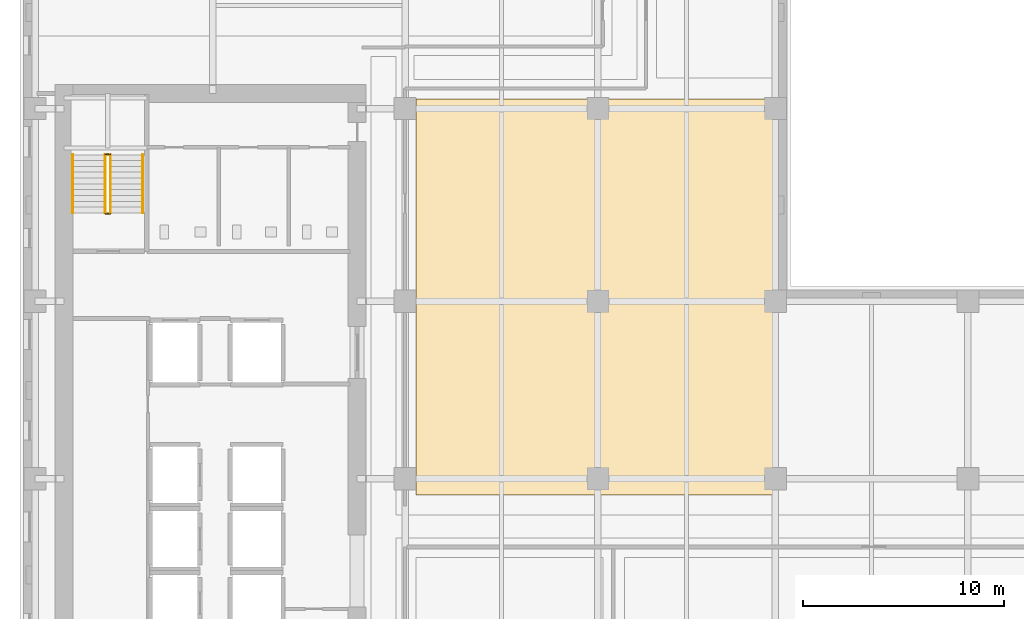
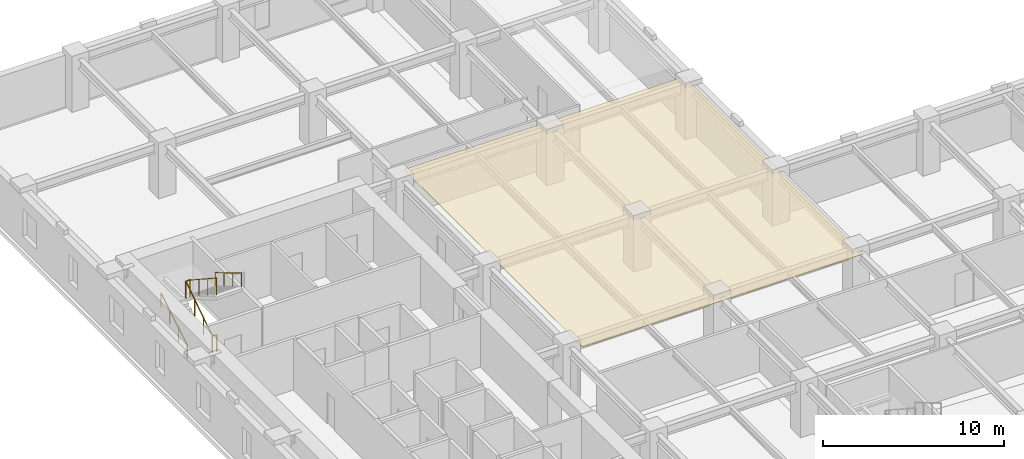
# One storey, part 13 of 15: 6 railings, 1 covering.
"""IFC4 building model written with IfcOpenShell, lengths in metres."""

from ifc_helpers import new_model, si_unit, direction, frame, origin, origin_2d, place, context, subcontext, project, spatial, polyline, circle, outline, extrude, material, layer, layer_set, type_object, element, save


model = new_model("IFC4")

# Units and contexts
model_context = context("Model", 3, precision=1e-05, world=origin(), true_north=direction((0.0, 1.0)))
body_context = subcontext(model_context, "Body", "Model", "MODEL_VIEW")
ifc_project = project(units=[si_unit("LENGTHUNIT", "METRE"), si_unit("AREAUNIT", "SQUARE_METRE"), si_unit("VOLUMEUNIT", "CUBIC_METRE"), si_unit("PLANEANGLEUNIT", "RADIAN"), si_unit("MASSUNIT", "GRAM", prefix="KILO")], contexts=[model_context])

# Site, building, storey
site_placement = place(None, origin())
site = spatial("IfcSite", under=ifc_project, at=site_placement, CompositionType="ELEMENT")
building_placement = place(site_placement, origin())
building = spatial("IfcBuilding", under=site, at=building_placement, Name="Norrvale University Quadrangle", CompositionType="ELEMENT")
storey_placement = place(building_placement, frame((0.0, 0.0, 92.60009765625)))
storey = spatial("IfcBuildingStorey", under=building, at=storey_placement, Name="L23", CompositionType="ELEMENT", Elevation=92.60009765625)

# Covering
ifc_material_1 = material(Name="Perforated Acoustic Mineral Ceiling")
ifc_layer = layer(ifc_material_1, 0.02490234375, Name="Perforated Acoustic Mineral Ceiling")
ifc_layer_set = layer_set([ifc_layer], Name="Perforated Acoustic Mineral Ceiling")
covering_type = type_object("IfcCoveringType", Name="Covering Acoustic Ceiling 25", PredefinedType="CEILING", material=ifc_layer_set)
covering_placement = place(storey_placement, frame((0.0, 0.0, 3.454833984375)))
element("IfcCovering", 1, at=covering_placement, inside=storey, type_object=covering_type, Name="Acoustic Ceiling RM-L23-MNE01", PredefinedType="CEILING", context=body_context, shape_type="SweptSolid", body=[
    extrude(outline(polyline([(19.72998046875, 47.719970703125), (37.64990234375, 47.719970703125), (37.64990234375, 27.97998046875), (19.72998046875, 27.97998046875), (19.72998046875, 47.719970703125)])), origin(), (0.0, 0.0, 1.0), 0.025146484375),
])

# Railings
ifc_material_2 = material(Name="Steel 350W Painted Balustrade", Category="steel")
railing_type_1 = type_object("IfcRailingType", Name="Railing Stair Guard 1100", PredefinedType="GUARDRAIL", material=ifc_material_2)
for number, where, name in (
    (2, (4.239990234375, 42.02001953125, 0.0), "Stair Floor Well Guard ST-02 L23"),
    (3, (4.239990234375, 44.97998046875, 1.89990234375), "Stair Mid-Landing Slot Guard ST-02 L23"),
):
    element("IfcRailing", number, at=place(storey_placement, frame(where)), inside=storey, type_object=railing_type_1, Name=name, PredefinedType="GUARDRAIL", context=body_context, shape_type="SweptSolid", body=[
        extrude(circle(Radius=0.02392578125, at=origin_2d()), frame((0.0, 0.0, 1.1259765625), z_axis=(1.0, 0.0, 0.0), x_axis=(0.0, 1.0, 0.0)), (0.0, 0.0, 1.0), 0.27001953125),
        extrude(circle(Radius=0.02099609375, at=origin_2d()), origin(), (0.0, 0.0, 1.0), 1.101806640625),
        extrude(circle(Radius=0.02099609375, at=origin_2d()), frame((0.27001953125, 0.0, 0.0)), (0.0, 0.0, 1.0), 1.101806640625),
    ])
railing_1_placement = place(storey_placement, frame((4.239990234375, 42.050048828125, 0.0)))
element("IfcRailing", 4, at=railing_1_placement, inside=storey, type_object=railing_type_1, Name="Stair Lower Flight Inner Guard ST-02 L23", PredefinedType="GUARDRAIL", context=body_context, shape_type="SweptSolid", body=[
    extrude(circle(Radius=0.02392578125, at=origin_2d()), frame((0.0, 0.0, 1.1259765625), z_axis=(0.0, 0.836465582154, 0.548019461216), x_axis=(-1.0, 0.0, 0.0)), (0.0, 0.0, 1.0), 3.466796875),
    extrude(circle(Radius=0.02099609375, at=origin_2d()), origin(), (0.0, 0.0, 1.0), 1.101806640625),
    extrude(circle(Radius=0.02099609375, at=origin_2d()), frame((0.0, 0.966552734375, 0.63330078125)), (0.0, 0.0, 1.0), 1.101806640625),
    extrude(circle(Radius=0.02099609375, at=origin_2d()), frame((0.0, 1.933349609375, 1.2666015625)), (0.0, 0.0, 1.0), 1.101806640625),
    extrude(circle(Radius=0.02099609375, at=origin_2d()), frame((0.0, 2.89990234375, 1.89990234375)), (0.0, 0.0, 1.0), 1.101806640625),
])
railing_2_placement = place(storey_placement, frame((4.510009765625, 44.949951171875, 1.89990234375)))
element("IfcRailing", 5, at=railing_2_placement, inside=storey, type_object=railing_type_1, Name="Stair Upper Flight Inner Guard ST-02 L23", PredefinedType="GUARDRAIL", context=body_context, shape_type="SweptSolid", body=[
    extrude(circle(Radius=0.02392578125, at=origin_2d()), frame((0.0, 0.0, 1.1259765625), z_axis=(0.0, -0.836465582154, 0.548019461216), x_axis=(1.0, 0.0, 0.0)), (0.0, 0.0, 1.0), 3.466796875),
    extrude(circle(Radius=0.02099609375, at=origin_2d()), origin(), (0.0, 0.0, 1.0), 1.101806640625),
    extrude(circle(Radius=0.02099609375, at=origin_2d()), frame((0.0, -0.966552734375, 0.63330078125)), (0.0, 0.0, 1.0), 1.101806640625),
    extrude(circle(Radius=0.02099609375, at=origin_2d()), frame((0.0, -1.933349609375, 1.2666015625)), (0.0, 0.0, 1.0), 1.101806640625),
    extrude(circle(Radius=0.02099609375, at=origin_2d()), frame((0.0, -2.89990234375, 1.89990234375)), (0.0, 0.0, 1.0), 1.101806640625),
])
ifc_material_3 = material(Name="Stainless Steel 316L Handrail", Category="steel")
railing_type_2 = type_object("IfcRailingType", Name="Railing Stair Handrail 920", PredefinedType="HANDRAIL", material=ifc_material_3)
railing_3_placement = place(storey_placement, frame((2.639892578125, 42.050048828125, 0.172607421875)))
element("IfcRailing", 6, at=railing_3_placement, inside=storey, type_object=railing_type_2, Name="Stair Lower Flight Handrail ST-02 L23", PredefinedType="HANDRAIL", context=body_context, shape_type="SweptSolid", body=[
    extrude(circle(Radius=0.02392578125, at=origin_2d()), frame((0.0, 0.0, 0.89599609375), z_axis=(0.0, 0.859141464434, 0.511738159696), x_axis=(-1.0, 0.0, 0.0)), (0.0, 0.0, 1.0), 3.375244140625),
    extrude(circle(Radius=0.02099609375, at=origin_2d()), origin(), (0.0, 0.0, 1.0), 0.871826171875),
    extrude(circle(Radius=0.02099609375, at=origin_2d()), frame((0.0, 0.966552734375, 0.57568359375)), (0.0, 0.0, 1.0), 0.871826171875),
    extrude(circle(Radius=0.02099609375, at=origin_2d()), frame((0.0, 1.933349609375, 1.151611328125)), (0.0, 0.0, 1.0), 0.871826171875),
    extrude(circle(Radius=0.02099609375, at=origin_2d()), frame((0.0, 2.89990234375, 1.727294921875)), (0.0, 0.0, 1.0), 0.871826171875),
])
railing_4_placement = place(storey_placement, frame((6.110107421875, 44.949951171875, 2.072509765625)))
element("IfcRailing", 7, at=railing_4_placement, inside=storey, type_object=railing_type_2, Name="Stair Upper Flight Handrail ST-02 L23", PredefinedType="HANDRAIL", context=body_context, shape_type="SweptSolid", body=[
    extrude(circle(Radius=0.02392578125, at=origin_2d()), frame((0.0, 0.0, 0.89599609375), z_axis=(0.0, -0.859141464434, 0.511738159696), x_axis=(1.0, 0.0, 0.0)), (0.0, 0.0, 1.0), 3.375244140625),
    extrude(circle(Radius=0.02099609375, at=origin_2d()), origin(), (0.0, 0.0, 1.0), 0.871826171875),
    extrude(circle(Radius=0.02099609375, at=origin_2d()), frame((0.0, -0.966552734375, 0.57568359375)), (0.0, 0.0, 1.0), 0.871826171875),
    extrude(circle(Radius=0.02099609375, at=origin_2d()), frame((0.0, -1.933349609375, 1.151611328125)), (0.0, 0.0, 1.0), 0.871826171875),
    extrude(circle(Radius=0.02099609375, at=origin_2d()), frame((0.0, -2.89990234375, 1.727294921875)), (0.0, 0.0, 1.0), 0.871826171875),
])

save(model, "model.ifc")
